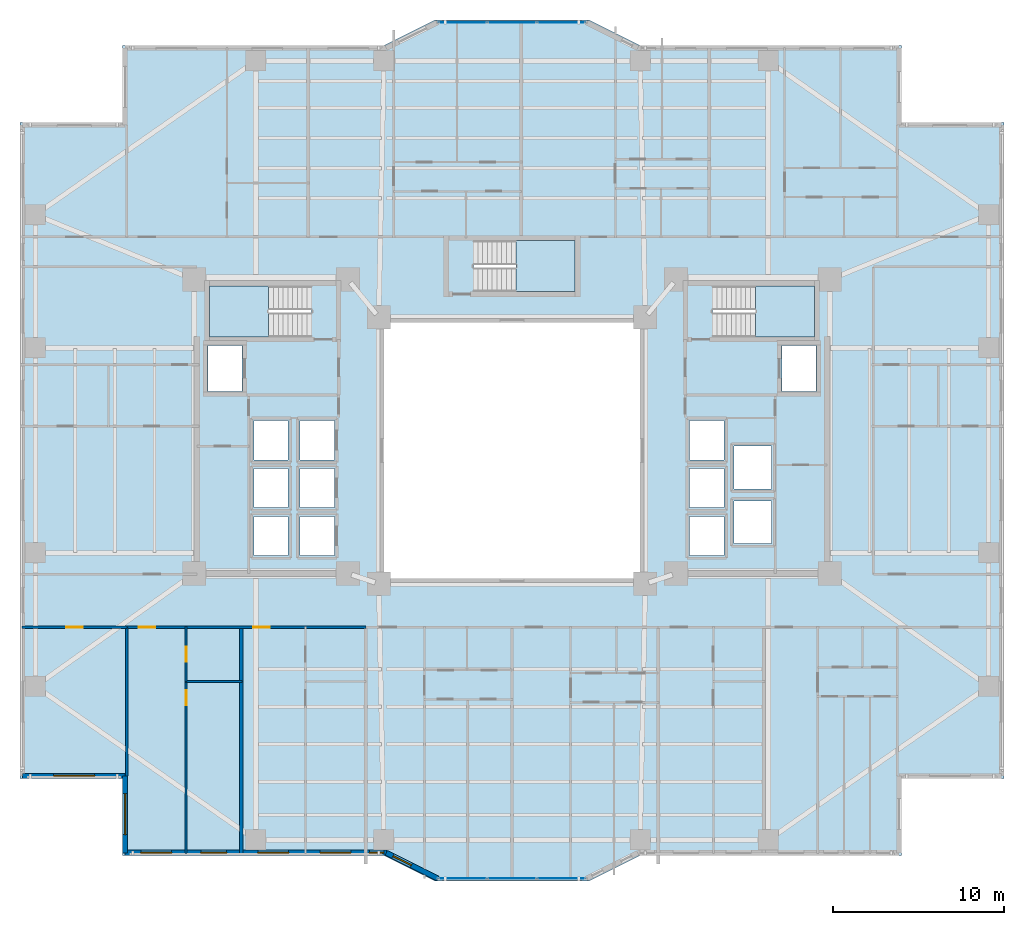
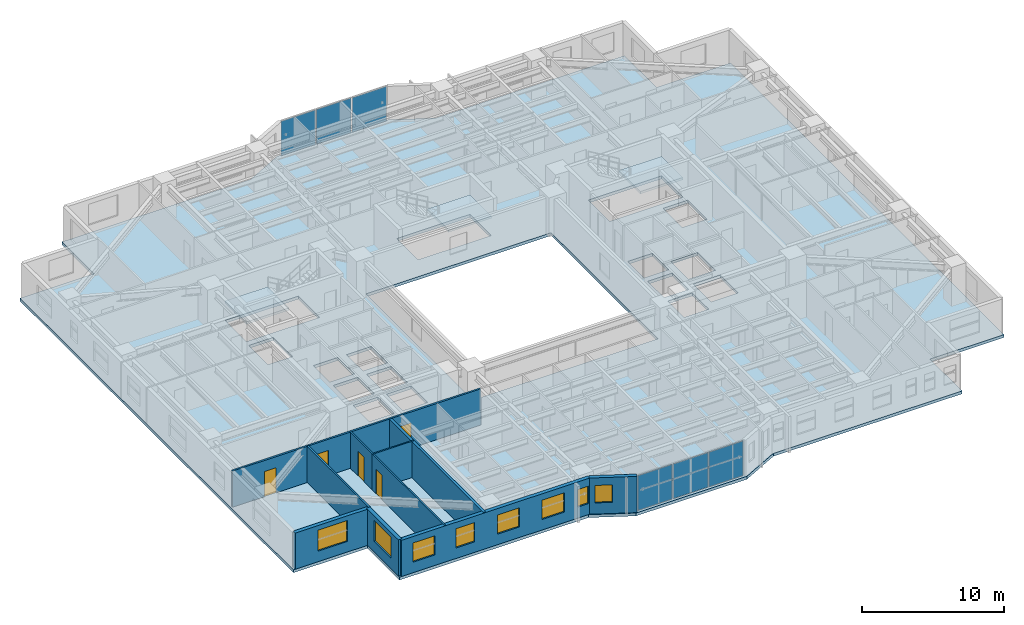
# One storey, part 9 of 21: 11 walls, 8 windows, 6 plates, 5 doors, 4 slabs, 13 openings, 5 elements without a shape of their own.
"""IFC4 building model written with IfcOpenShell, lengths in metres."""

from ifc_helpers import new_model, si_unit, direction, frame, frame_2d, origin, origin_2d, place, context, subcontext, project, spatial, polyline, rectangle, outline, extrude, material, layer, layer_set, type_object, element, fill, aggregate, save


model = new_model("IFC4")

# Units and contexts
model_context = context("Model", 3, precision=1e-05, world=origin(), true_north=direction((0.0, 1.0)))
body_context = subcontext(model_context, "Body", "Model", "MODEL_VIEW")
ifc_project = project(units=[si_unit("LENGTHUNIT", "METRE"), si_unit("AREAUNIT", "SQUARE_METRE"), si_unit("VOLUMEUNIT", "CUBIC_METRE"), si_unit("PLANEANGLEUNIT", "RADIAN"), si_unit("MASSUNIT", "GRAM", prefix="KILO")], contexts=[model_context])

# Site, building, storey
site_placement = place(None, origin())
site = spatial("IfcSite", under=ifc_project, at=site_placement, CompositionType="ELEMENT")
building_placement = place(site_placement, origin())
building = spatial("IfcBuilding", under=site, at=building_placement, Name="Tarnavaz Court Tower", CompositionType="ELEMENT")
storey_placement = place(building_placement, frame((0.0, 0.0, 24.0)))
storey = spatial("IfcBuildingStorey", under=building, at=storey_placement, Name="L05", CompositionType="ELEMENT", Elevation=24.0)

# Curtain wall, plates
ifc_material_1 = material(Name="Anodised Aluminium 6063-T6 and Solar Low-E Glazing", Category="aluminium")
ifc_layer_1 = layer(ifc_material_1, 0.179931640625)
ifc_layer_set_1 = layer_set([ifc_layer_1], Name="Anodised Aluminium 6063-T6 and Solar Low-E Glazing")
curtain_wall_type = type_object("IfcCurtainWallType", Name="CW-SYS-02", PredefinedType="NOTDEFINED", material=ifc_layer_set_1)
curtain_wall_1_placement = place(storey_placement, origin())
curtain_wall_1 = element("IfcCurtainWall", 1, at=curtain_wall_1_placement, inside=storey, type_object=curtain_wall_type, Name="L05 Iwan Prow Curtain Wall 7", PredefinedType="NOTDEFINED")
ifc_material_2 = material(Name="Double-Glazed Solar Low-E Glass", Category="glass")
ifc_layer_2 = layer(ifc_material_2, 0.028076171875)
ifc_layer_set_2 = layer_set([ifc_layer_2], Name="Double-Glazed Solar Low-E Glass")
plate_type = type_object("IfcPlateType", Name="CW-PAN-GLZ28", PredefinedType="CURTAIN_PANEL", material=ifc_layer_set_2)
plate_1_placement = place(storey_placement, frame((-2.88134765625, 25.050048828125, 0.06494140625), z_axis=(0.0, 0.0, 1.0), x_axis=(1.0, 0.0, 0.0)))
plate_1 = element("IfcPlate", 2, at=plate_1_placement, type_object=plate_type, Name="CW panel 1.1", PredefinedType="CURTAIN_PANEL", context=body_context, shape_type="SweptSolid", body=[
    extrude(rectangle(XDim=2.78759765625, YDim=0.028076171875, at=origin_2d()), origin(), (0.0, 0.0, 1.0), 2.969970703125),
])
plate_2_placement = place(storey_placement, frame((0.0, 25.050048828125, 0.06494140625), z_axis=(0.0, 0.0, 1.0), x_axis=(1.0, 0.0, 0.0)))
plate_2 = element("IfcPlate", 3, at=plate_2_placement, type_object=plate_type, Name="CW panel 2.1", PredefinedType="CURTAIN_PANEL", context=body_context, shape_type="SweptSolid", body=[
    extrude(rectangle(XDim=2.824951171875, YDim=0.028076171875, at=origin_2d()), origin(), (0.0, 0.0, 1.0), 2.969970703125),
])
plate_3_placement = place(storey_placement, frame((2.88134765625, 25.050048828125, 0.06494140625), z_axis=(0.0, 0.0, 1.0), x_axis=(1.0, 0.0, 0.0)))
plate_3 = element("IfcPlate", 4, at=plate_3_placement, type_object=plate_type, Name="CW panel 3.1", PredefinedType="CURTAIN_PANEL", context=body_context, shape_type="SweptSolid", body=[
    extrude(rectangle(XDim=2.78759765625, YDim=0.028076171875, at=origin_2d()), origin(), (0.0, 0.0, 1.0), 2.969970703125),
])
aggregate(curtain_wall_1, [plate_1, plate_2, plate_3])

curtain_wall_2_placement = place(storey_placement, origin())
curtain_wall_2 = element("IfcCurtainWall", 5, at=curtain_wall_2_placement, inside=storey, type_object=curtain_wall_type, Name="L05 Iwan Prow Curtain Wall 17", PredefinedType="NOTDEFINED")
plate_4_placement = place(storey_placement, frame((2.88134765625, -25.050048828125, 0.06494140625), z_axis=(0.0, 0.0, 1.0), x_axis=(-1.0, 0.0, 0.0)))
plate_4 = element("IfcPlate", 6, at=plate_4_placement, type_object=plate_type, Name="CW panel 1.1", PredefinedType="CURTAIN_PANEL", context=body_context, shape_type="SweptSolid", body=[
    extrude(rectangle(XDim=2.78759765625, YDim=0.028076171875, at=origin_2d()), origin(), (0.0, 0.0, 1.0), 2.969970703125),
])
plate_5_placement = place(storey_placement, frame((0.0, -25.050048828125, 0.06494140625), z_axis=(0.0, 0.0, 1.0), x_axis=(-1.0, 0.0, 0.0)))
plate_5 = element("IfcPlate", 7, at=plate_5_placement, type_object=plate_type, Name="CW panel 2.1", PredefinedType="CURTAIN_PANEL", context=body_context, shape_type="SweptSolid", body=[
    extrude(rectangle(XDim=2.824951171875, YDim=0.028076171875, at=origin_2d()), origin(), (0.0, 0.0, 1.0), 2.969970703125),
])
plate_6_placement = place(storey_placement, frame((-2.88134765625, -25.050048828125, 0.06494140625), z_axis=(0.0, 0.0, 1.0), x_axis=(-1.0, 0.0, 0.0)))
plate_6 = element("IfcPlate", 8, at=plate_6_placement, type_object=plate_type, Name="CW panel 3.1", PredefinedType="CURTAIN_PANEL", context=body_context, shape_type="SweptSolid", body=[
    extrude(rectangle(XDim=2.78759765625, YDim=0.028076171875, at=origin_2d()), origin(), (0.0, 0.0, 1.0), 2.969970703125),
])
aggregate(curtain_wall_2, [plate_4, plate_5, plate_6])

# Stair, slab
ifc_material_3 = material(Name="Concrete C40/50", Category="concrete")
stair_type = type_object("IfcStairType", Name="ST-TWR-20R", PredefinedType="HALF_TURN_STAIR", material=ifc_material_3)
stair_1_placement = place(storey_placement, origin())
stair_1 = element("IfcStair", 9, at=stair_1_placement, inside=storey, type_object=stair_type, Name="L05 West Core Pressurized Exit Stair ST-W1", PredefinedType="HALF_TURN_STAIR")
ifc_layer_3 = layer(ifc_material_3, 0.199951171875)
ifc_layer_set_3 = layer_set([ifc_layer_3], Name="Concrete C40/50")
slab_type_1 = type_object("IfcSlabType", Name="SL-LAND-200", PredefinedType="LANDING", material=ifc_layer_set_3)
slab_1_placement = place(storey_placement, frame((0.0, 0.0, 1.47509765625)))
slab_1 = element("IfcSlab", 10, at=slab_1_placement, type_object=slab_type_1, Name="ST-W1 landing 1", PredefinedType="LANDING", context=body_context, shape_type="SweptSolid", body=[
    extrude(outline(polyline([(-14.239990234375, 9.639892578125), (-17.699951171875, 9.639892578125), (-17.699951171875, 6.64990234375), (-14.239990234375, 6.64990234375), (-14.239990234375, 9.639892578125)])), origin(), (0.0, 0.0, 1.0), 0.199951171875),
])
aggregate(stair_1, [slab_1])

stair_2_placement = place(storey_placement, origin())
stair_2 = element("IfcStair", 11, at=stair_2_placement, inside=storey, type_object=stair_type, Name="L05 East Core Pressurized Exit Stair ST-E1", PredefinedType="HALF_TURN_STAIR")
slab_2_placement = place(storey_placement, frame((0.0, 0.0, 1.47509765625)))
slab_2 = element("IfcSlab", 12, at=slab_2_placement, type_object=slab_type_1, Name="ST-E1 landing 1", PredefinedType="LANDING", context=body_context, shape_type="SweptSolid", body=[
    extrude(outline(polyline([(14.239990234375, 6.64990234375), (17.699951171875, 6.64990234375), (17.699951171875, 9.639892578125), (14.239990234375, 9.639892578125), (14.239990234375, 6.64990234375)])), origin(), (0.0, 0.0, 1.0), 0.199951171875),
])
aggregate(stair_2, [slab_2])

stair_3_placement = place(storey_placement, origin())
stair_3 = element("IfcStair", 13, at=stair_3_placement, inside=storey, type_object=stair_type, Name="L05 North Ring Pressurized Exit Stair ST-N1", PredefinedType="HALF_TURN_STAIR")
slab_3_placement = place(storey_placement, frame((0.0, 0.0, 1.47509765625)))
slab_3 = element("IfcSlab", 14, at=slab_3_placement, type_object=slab_type_1, Name="ST-N1 landing 1", PredefinedType="LANDING", context=body_context, shape_type="SweptSolid", body=[
    extrude(outline(polyline([(0.239990234375, 9.300048828125), (3.699951171875, 9.300048828125), (3.699951171875, 12.2900390625), (0.239990234375, 12.2900390625), (0.239990234375, 9.300048828125)])), origin(), (0.0, 0.0, 1.0), 0.199951171875),
])
aggregate(stair_3, [slab_3])

# Slab
ifc_layer_4 = layer(ifc_material_3, 0.25)
ifc_layer_set_4 = layer_set([ifc_layer_4], Name="Concrete C40/50")
slab_type_2 = type_object("IfcSlabType", Name="SL-RES-250", PredefinedType="FLOOR", material=ifc_layer_set_4)
slab_4_placement = place(storey_placement, frame((0.0, 0.0, -0.25)))
element("IfcSlab", 15, at=slab_4_placement, inside=storey, type_object=slab_type_2, Name="L05 Structural Floor Slab", PredefinedType="FLOOR", context=body_context, shape_type="SweptSolid", body=[
    extrude(outline(polyline([(-22.800048828125, -23.699951171875), (-7.5, -23.699951171875), (-4.5, -25.199951171875), (4.5, -25.199951171875), (7.5, -23.699951171875), (22.800048828125, -23.699951171875), (22.800048828125, -19.199951171875), (28.800048828125, -19.199951171875), (28.800048828125, 19.199951171875), (22.800048828125, 19.199951171875), (22.800048828125, 23.699951171875), (7.5, 23.699951171875), (4.5, 25.199951171875), (-4.5, 25.199951171875), (-7.5, 23.699951171875), (-22.800048828125, 23.699951171875), (-22.800048828125, 19.199951171875), (-28.800048828125, 19.199951171875), (-28.800048828125, -19.199951171875), (-22.800048828125, -19.199951171875), (-22.800048828125, -23.699951171875)]), holes=[polyline([(-7.5, -7.5), (7.5, -7.5), (7.5, 7.5), (-7.5, 7.5), (-7.5, -7.5)]), polyline([(-11.7451171875, 9.639892578125), (-17.699951171875, 9.639892578125), (-17.699951171875, 6.64990234375), (-11.7451171875, 6.64990234375), (-11.7451171875, 9.639892578125)]), polyline([(11.7451171875, 6.64990234375), (17.699951171875, 6.64990234375), (17.699951171875, 9.639892578125), (11.7451171875, 9.639892578125), (11.7451171875, 6.64990234375)]), polyline([(-2.2548828125, 9.300048828125), (3.699951171875, 9.300048828125), (3.699951171875, 12.2900390625), (-2.2548828125, 12.2900390625), (-2.2548828125, 9.300048828125)]), polyline([(-17.800048828125, 3.449951171875), (-15.800048828125, 3.449951171875), (-15.800048828125, 6.14990234375), (-17.800048828125, 6.14990234375), (-17.800048828125, 3.449951171875)]), polyline([(-12.39990234375, -6.14990234375), (-10.39990234375, -6.14990234375), (-10.39990234375, -3.85009765625), (-12.39990234375, -3.85009765625), (-12.39990234375, -6.14990234375)]), polyline([(-12.39990234375, -3.35009765625), (-10.39990234375, -3.35009765625), (-10.39990234375, -1.050048828125), (-12.39990234375, -1.050048828125), (-12.39990234375, -3.35009765625)]), polyline([(-12.39990234375, -0.550048828125), (-10.39990234375, -0.550048828125), (-10.39990234375, 1.75), (-12.39990234375, 1.75), (-12.39990234375, -0.550048828125)]), polyline([(-15.10009765625, -6.14990234375), (-13.10009765625, -6.14990234375), (-13.10009765625, -3.85009765625), (-15.10009765625, -3.85009765625), (-15.10009765625, -6.14990234375)]), polyline([(-15.10009765625, -3.35009765625), (-13.10009765625, -3.35009765625), (-13.10009765625, -1.050048828125), (-15.10009765625, -1.050048828125), (-15.10009765625, -3.35009765625)]), polyline([(-15.10009765625, -0.550048828125), (-13.10009765625, -0.550048828125), (-13.10009765625, 1.75), (-15.10009765625, 1.75), (-15.10009765625, -0.550048828125)]), polyline([(15.800048828125, 3.449951171875), (17.800048828125, 3.449951171875), (17.800048828125, 6.14990234375), (15.800048828125, 6.14990234375), (15.800048828125, 3.449951171875)]), polyline([(10.39990234375, -6.14990234375), (12.39990234375, -6.14990234375), (12.39990234375, -3.85009765625), (10.39990234375, -3.85009765625), (10.39990234375, -6.14990234375)]), polyline([(10.39990234375, -3.35009765625), (12.39990234375, -3.35009765625), (12.39990234375, -1.050048828125), (10.39990234375, -1.050048828125), (10.39990234375, -3.35009765625)]), polyline([(10.39990234375, -0.550048828125), (12.39990234375, -0.550048828125), (12.39990234375, 1.75), (10.39990234375, 1.75), (10.39990234375, -0.550048828125)]), polyline([(13.0, -5.449951171875), (15.199951171875, -5.449951171875), (15.199951171875, -2.949951171875), (13.0, -2.949951171875), (13.0, -5.449951171875)]), polyline([(13.0, -2.25), (15.199951171875, -2.25), (15.199951171875, 0.25), (13.0, 0.25), (13.0, -2.25)])]), origin(), (0.0, 0.0, 1.0), 0.25),
])

# Wall, opening, window
ifc_material_4 = material(Name="Precast Concrete C40/50", Category="concrete")
ifc_layer_5 = layer(ifc_material_4, 0.300048828125)
ifc_layer_set_5 = layer_set([ifc_layer_5], Name="Precast Concrete C40/50")
wall_type_1 = type_object("IfcWallType", Name="WL-EXT-300", PredefinedType="SOLIDWALL", material=ifc_layer_set_5)
wall_1_placement = place(storey_placement, frame((-22.64990234375, -19.050048828125, 0.0), z_axis=(0.0, 0.0, 1.0), x_axis=(-1.0, 0.0, 0.0)))
wall_1 = element("IfcWall", 16, at=wall_1_placement, inside=storey, type_object=wall_type_1, Name="L05 Exterior Terracotta Facade Wall 01", PredefinedType="SOLIDWALL", context=body_context, shape_type="SweptSolid", body=[
    extrude(rectangle(XDim=6.0, YDim=0.300048828125, at=frame_2d((3.0, 0.0))), origin(), (0.0, 0.0, 1.0), 3.10009765625),
])
opening_1_placement = place(wall_1_placement, frame((1.77490234375, 0.0, 0.89990234375)))
opening_1 = element("IfcOpeningElement", 17, at=opening_1_placement, cuts=wall_1, Name="Opening W06", PredefinedType="OPENING", context=body_context, shape_type="SweptSolid", body=[
    extrude(rectangle(XDim=2.39990234375, YDim=1.800048828125, at=frame_2d((1.199951171875, 0.89990234375))), frame((0.0, 0.159912109375, 0.0), z_axis=(0.0, -1.0, 0.0), x_axis=(1.0, 0.0, 0.0)), (0.0, 0.0, 1.0), 0.320068359375),
])
window_type_1 = type_object("IfcWindowType", Name="WN-APT-2400", PartitioningType="TRIPLE_PANEL_VERTICAL", PredefinedType="WINDOW", material=ifc_material_2)
window_1_placement = place(opening_1_placement, origin())
window_1 = element("IfcWindow", 18, at=window_1_placement, inside=storey, type_object=window_type_1, Name="L05 South-West Corner Reading Room Window", OverallHeight=1.800048828125, OverallWidth=2.39990234375, PartitioningType="SINGLE_PANEL", PredefinedType="WINDOW", context=body_context, shape_type="SweptSolid", body=[
    extrude(rectangle(XDim=2.39990234375, YDim=1.800048828125, at=frame_2d((1.199951171875, 0.89990234375))), frame((0.0, 0.030029296875, 0.0), z_axis=(0.0, -1.0, 0.0), x_axis=(1.0, 0.0, 0.0)), (0.0, 0.0, 1.0), 0.06005859375),
])
fill(opening_1, window_1)

wall_2_placement = place(storey_placement, frame((-4.35009765625, -25.050048828125, 0.0), z_axis=(0.0, 0.0, 1.0), x_axis=(-0.894427191, 0.4472135955, 0.0)))
wall_2 = element("IfcWall", 19, at=wall_2_placement, inside=storey, type_object=wall_type_1, Name="L05 Exterior Terracotta Facade Wall 18", PredefinedType="SOLIDWALL", context=body_context, shape_type="SweptSolid", body=[
    extrude(rectangle(XDim=3.35400390625, YDim=0.300048828125, at=frame_2d((1.677001953125, 0.0))), origin(), (0.0, 0.0, 1.0), 3.10009765625),
])
opening_2_placement = place(wall_2_placement, frame((1.72802734375, 0.0, 0.949951171875)))
opening_2 = element("IfcOpeningElement", 20, at=opening_2_placement, cuts=wall_2, Name="Opening W05", PredefinedType="OPENING", context=body_context, shape_type="SweptSolid", body=[
    extrude(rectangle(XDim=1.199951171875, YDim=1.5, at=frame_2d((0.60009765625, 0.75))), frame((0.0, 0.159912109375, 0.0), z_axis=(0.0, -1.0, 0.0), x_axis=(1.0, 0.0, 0.0)), (0.0, 0.0, 1.0), 0.320068359375),
])
window_type_2 = type_object("IfcWindowType", Name="WN-APT-1200", PartitioningType="SINGLE_PANEL", PredefinedType="WINDOW", material=ifc_material_2)
window_2_placement = place(opening_2_placement, origin())
window_2 = element("IfcWindow", 21, at=window_2_placement, inside=storey, type_object=window_type_2, Name="L05 Flat 09 Living and Dining Room Window", OverallHeight=1.5, OverallWidth=1.199951171875, PartitioningType="SINGLE_PANEL", PredefinedType="WINDOW", context=body_context, shape_type="SweptSolid", body=[
    extrude(rectangle(XDim=1.199951171875, YDim=1.5, at=frame_2d((0.60009765625, 0.75))), frame((0.0, 0.030029296875, 0.0), z_axis=(0.0, -1.0, 0.0), x_axis=(1.0, 0.0, 0.0)), (0.0, 0.0, 1.0), 0.06005859375),
])
fill(opening_2, window_2)

# Wall, openings, windows
wall_3_placement = place(storey_placement, frame((-7.35009765625, -23.550048828125, 0.0), z_axis=(0.0, 0.0, 1.0), x_axis=(-1.0, 0.0, 0.0)))
wall_3 = element("IfcWall", 22, at=wall_3_placement, inside=storey, type_object=wall_type_1, Name="L05 Exterior Terracotta Facade Wall 19", PredefinedType="SOLIDWALL", context=body_context, shape_type="SweptSolid", body=[
    extrude(rectangle(XDim=15.2998046875, YDim=0.300048828125, at=frame_2d((7.64990234375, 0.0))), origin(), (0.0, 0.0, 1.0), 3.10009765625),
])
opening_3_placement = place(wall_3_placement, frame((0.146728515625, 0.0, 0.949951171875)))
opening_3 = element("IfcOpeningElement", 23, at=opening_3_placement, cuts=wall_3, Name="Opening W15", PredefinedType="OPENING", context=body_context, shape_type="SweptSolid", body=[
    extrude(rectangle(XDim=0.85009765625, YDim=1.5, at=frame_2d((0.425048828125, 0.75))), frame((0.0, 0.159912109375, 0.0), z_axis=(0.0, -1.0, 0.0), x_axis=(1.0, 0.0, 0.0)), (0.0, 0.0, 1.0), 0.320068359375),
])
opening_4_placement = place(wall_3_placement, frame((2.084716796875, 0.0, 0.89990234375)))
opening_4 = element("IfcOpeningElement", 24, at=opening_4_placement, cuts=wall_3, Name="Opening W01", PredefinedType="OPENING", context=body_context, shape_type="SweptSolid", body=[
    extrude(rectangle(XDim=1.800048828125, YDim=1.64990234375, at=frame_2d((0.89990234375, 0.824951171875))), frame((0.0, 0.159912109375, 0.0), z_axis=(0.0, -1.0, 0.0), x_axis=(1.0, 0.0, 0.0)), (0.0, 0.0, 1.0), 0.320068359375),
])
opening_5_placement = place(wall_3_placement, frame((5.7216796875, 0.0, 0.89990234375)))
opening_5 = element("IfcOpeningElement", 25, at=opening_5_placement, cuts=wall_3, Name="Opening W01", PredefinedType="OPENING", context=body_context, shape_type="SweptSolid", body=[
    extrude(rectangle(XDim=1.800048828125, YDim=1.64990234375, at=frame_2d((0.89990234375, 0.824951171875))), frame((0.0, 0.159912109375, 0.0), z_axis=(0.0, -1.0, 0.0), x_axis=(1.0, 0.0, 0.0)), (0.0, 0.0, 1.0), 0.320068359375),
])
opening_6_placement = place(wall_3_placement, frame((9.35791015625, 0.0, 0.89990234375)))
opening_6 = element("IfcOpeningElement", 26, at=opening_6_placement, cuts=wall_3, Name="Opening W03", PredefinedType="OPENING", context=body_context, shape_type="SweptSolid", body=[
    extrude(rectangle(XDim=1.5, YDim=1.64990234375, at=frame_2d((0.75, 0.824951171875))), frame((0.0, 0.159912109375, 0.0), z_axis=(0.0, -1.0, 0.0), x_axis=(1.0, 0.0, 0.0)), (0.0, 0.0, 1.0), 0.320068359375),
])
opening_7_placement = place(wall_3_placement, frame((12.569091796875, 0.0, 0.89990234375)))
opening_7 = element("IfcOpeningElement", 27, at=opening_7_placement, cuts=wall_3, Name="Opening W01", PredefinedType="OPENING", context=body_context, shape_type="SweptSolid", body=[
    extrude(rectangle(XDim=1.800048828125, YDim=1.64990234375, at=frame_2d((0.89990234375, 0.824951171875))), frame((0.0, 0.159912109375, 0.0), z_axis=(0.0, -1.0, 0.0), x_axis=(1.0, 0.0, 0.0)), (0.0, 0.0, 1.0), 0.320068359375),
])
window_type_3 = type_object("IfcWindowType", Name="WN-APT-1500", PartitioningType="DOUBLE_PANEL_VERTICAL", PredefinedType="WINDOW", material=ifc_material_2)
window_3_placement = place(opening_6_placement, origin())
window_3 = element("IfcWindow", 28, at=window_3_placement, inside=storey, type_object=window_type_3, Name="L05 Flat 05 Kitchen Window", OverallHeight=1.64990234375, OverallWidth=1.5, PartitioningType="SINGLE_PANEL", PredefinedType="WINDOW", context=body_context, shape_type="SweptSolid", body=[
    extrude(rectangle(XDim=1.5, YDim=1.64990234375, at=frame_2d((0.75, 0.824951171875))), frame((0.0, 0.030029296875, 0.0), z_axis=(0.0, -1.0, 0.0), x_axis=(1.0, 0.0, 0.0)), (0.0, 0.0, 1.0), 0.06005859375),
])
fill(opening_6, window_3)
window_type_4 = type_object("IfcWindowType", Name="WN-APT-1800", PartitioningType="DOUBLE_PANEL_VERTICAL", PredefinedType="WINDOW", material=ifc_material_2)
window_4_placement = place(opening_4_placement, origin())
window_4 = element("IfcWindow", 29, at=window_4_placement, inside=storey, type_object=window_type_4, Name="L05 Flat 06 Kitchen Window", OverallHeight=1.64990234375, OverallWidth=1.800048828125, PartitioningType="SINGLE_PANEL", PredefinedType="WINDOW", context=body_context, shape_type="SweptSolid", body=[
    extrude(rectangle(XDim=1.800048828125, YDim=1.64990234375, at=frame_2d((0.89990234375, 0.824951171875))), frame((0.0, 0.030029296875, 0.0), z_axis=(0.0, -1.0, 0.0), x_axis=(1.0, 0.0, 0.0)), (0.0, 0.0, 1.0), 0.06005859375),
])
fill(opening_4, window_4)
window_5_placement = place(opening_5_placement, origin())
window_5 = element("IfcWindow", 30, at=window_5_placement, inside=storey, type_object=window_type_4, Name="L05 Flat 06 Studio Living and Sleeping Room Window", OverallHeight=1.64990234375, OverallWidth=1.800048828125, PartitioningType="SINGLE_PANEL", PredefinedType="WINDOW", context=body_context, shape_type="SweptSolid", body=[
    extrude(rectangle(XDim=1.800048828125, YDim=1.64990234375, at=frame_2d((0.89990234375, 0.824951171875))), frame((0.0, 0.030029296875, 0.0), z_axis=(0.0, -1.0, 0.0), x_axis=(1.0, 0.0, 0.0)), (0.0, 0.0, 1.0), 0.06005859375),
])
fill(opening_5, window_5)
window_6_placement = place(opening_7_placement, origin())
window_6 = element("IfcWindow", 31, at=window_6_placement, inside=storey, type_object=window_type_4, Name="L05 Flat 05 Studio Living and Sleeping Room Window", OverallHeight=1.64990234375, OverallWidth=1.800048828125, PartitioningType="SINGLE_PANEL", PredefinedType="WINDOW", context=body_context, shape_type="SweptSolid", body=[
    extrude(rectangle(XDim=1.800048828125, YDim=1.64990234375, at=frame_2d((0.89990234375, 0.824951171875))), frame((0.0, 0.030029296875, 0.0), z_axis=(0.0, -1.0, 0.0), x_axis=(1.0, 0.0, 0.0)), (0.0, 0.0, 1.0), 0.06005859375),
])
fill(opening_7, window_6)
window_type_5 = type_object("IfcWindowType", Name="WN-APT-850", PartitioningType="SINGLE_PANEL", PredefinedType="WINDOW", material=ifc_material_2)
window_7_placement = place(opening_3_placement, origin())
window_7 = element("IfcWindow", 32, at=window_7_placement, inside=storey, type_object=window_type_5, Name="L05 Flat 09 Living and Dining Room Window", OverallHeight=1.5, OverallWidth=0.85009765625, PartitioningType="SINGLE_PANEL", PredefinedType="WINDOW", context=body_context, shape_type="SweptSolid", body=[
    extrude(rectangle(XDim=0.85009765625, YDim=1.5, at=frame_2d((0.425048828125, 0.75))), frame((0.0, 0.030029296875, 0.0), z_axis=(0.0, -1.0, 0.0), x_axis=(1.0, 0.0, 0.0)), (0.0, 0.0, 1.0), 0.06005859375),
])
fill(opening_3, window_7)

# Wall, opening, window
wall_4_placement = place(storey_placement, frame((-22.64990234375, -23.550048828125, 0.0), z_axis=(0.0, 0.0, 1.0), x_axis=(0.0, 1.0, 0.0)))
wall_4 = element("IfcWall", 33, at=wall_4_placement, inside=storey, type_object=wall_type_1, Name="L05 Exterior Terracotta Facade Wall 20", PredefinedType="SOLIDWALL", context=body_context, shape_type="SweptSolid", body=[
    extrude(rectangle(XDim=4.5, YDim=0.300048828125, at=frame_2d((2.25, 0.0))), origin(), (0.0, 0.0, 1.0), 3.10009765625),
])
opening_8_placement = place(wall_4_placement, frame((1.0673828125, 0.0, 0.89990234375)))
opening_8 = element("IfcOpeningElement", 34, at=opening_8_placement, cuts=wall_4, Name="Opening W06", PredefinedType="OPENING", context=body_context, shape_type="SweptSolid", body=[
    extrude(rectangle(XDim=2.39990234375, YDim=1.800048828125, at=frame_2d((1.199951171875, 0.89990234375))), frame((0.0, 0.159912109375, 0.0), z_axis=(0.0, -1.0, 0.0), x_axis=(1.0, 0.0, 0.0)), (0.0, 0.0, 1.0), 0.320068359375),
])
window_8_placement = place(opening_8_placement, origin())
window_8 = element("IfcWindow", 35, at=window_8_placement, inside=storey, type_object=window_type_1, Name="L05 Flat 05 Studio Living and Sleeping Room Window", OverallHeight=1.800048828125, OverallWidth=2.39990234375, PartitioningType="SINGLE_PANEL", PredefinedType="WINDOW", context=body_context, shape_type="SweptSolid", body=[
    extrude(rectangle(XDim=2.39990234375, YDim=1.800048828125, at=frame_2d((1.199951171875, 0.89990234375))), frame((0.0, 0.030029296875, 0.0), z_axis=(0.0, -1.0, 0.0), x_axis=(1.0, 0.0, 0.0)), (0.0, 0.0, 1.0), 0.06005859375),
])
fill(opening_8, window_8)

# Wall, openings, doors
ifc_material_5 = material(Name="Gypsum Fire-Board on Acoustic Metal Stud", Category="masonry")
ifc_layer_6 = layer(ifc_material_5, 0.14990234375)
ifc_layer_set_6 = layer_set([ifc_layer_6], Name="Gypsum Fire-Board on Acoustic Metal Stud")
wall_type_2 = type_object("IfcWallType", Name="WL-FIRE-150", PredefinedType="PARTITIONING", material=ifc_layer_set_6)
wall_5_placement = place(storey_placement, frame((-22.550048828125, -10.35009765625, 0.0), z_axis=(0.0, 0.0, 1.0), x_axis=(1.0, 0.0, 0.0)))
wall_5 = element("IfcWall", 36, at=wall_5_placement, inside=storey, type_object=wall_type_2, Name="L05 SW Corridor Wall 084", PredefinedType="PARTITIONING", context=body_context, shape_type="SweptSolid", body=[
    extrude(rectangle(XDim=14.0, YDim=0.14990234375, at=frame_2d((7.0, 0.0))), origin(), (0.0, 0.0, 1.0), 3.10009765625),
])
opening_9_placement = place(wall_5_placement, frame((0.699951171875, 0.0, 0.0)))
opening_9 = element("IfcOpeningElement", 37, at=opening_9_placement, cuts=wall_5, Name="Opening D06", PredefinedType="OPENING", context=body_context, shape_type="SweptSolid", body=[
    extrude(rectangle(XDim=0.9599609375, YDim=2.14990234375, at=frame_2d((0.47998046875, 1.074951171875))), frame((0.0, 0.0849609375, 0.0), z_axis=(0.0, -1.0, 0.0), x_axis=(1.0, 0.0, 0.0)), (0.0, 0.0, 1.0), 0.169921875),
])
opening_10_placement = place(wall_5_placement, frame((7.39599609375, 0.0, 0.0)))
opening_10 = element("IfcOpeningElement", 38, at=opening_10_placement, cuts=wall_5, Name="Opening D06", PredefinedType="OPENING", context=body_context, shape_type="SweptSolid", body=[
    extrude(rectangle(XDim=0.9599609375, YDim=2.14990234375, at=frame_2d((0.47998046875, 1.074951171875))), frame((0.0, 0.0849609375, 0.0), z_axis=(0.0, -1.0, 0.0), x_axis=(1.0, 0.0, 0.0)), (0.0, 0.0, 1.0), 0.169921875),
])
ifc_material_6 = material(Name="Fire-Rated Hardwood Timber Core", Category="wood")
door_type_1 = type_object("IfcDoorType", Name="DR-FD60-950", OperationType="NOTDEFINED", PredefinedType="DOOR", material=ifc_material_6)
door_1_placement = place(opening_9_placement, origin())
door_1 = element("IfcDoor", 39, at=door_1_placement, inside=storey, type_object=door_type_1, Name="L05 Flat 05 Entrance Door", OperationType="SINGLE_SWING_RIGHT", OverallHeight=2.14990234375, OverallWidth=0.9599609375, PredefinedType="DOOR", context=body_context, shape_type="SweptSolid", body=[
    extrude(rectangle(XDim=0.9599609375, YDim=2.14990234375, at=frame_2d((0.47998046875, 1.074951171875))), frame((0.0, 0.02490234375, 0.0), z_axis=(0.0, -1.0, 0.0), x_axis=(1.0, 0.0, 0.0)), (0.0, 0.0, 1.0), 0.050048828125),
])
fill(opening_9, door_1)
door_2_placement = place(opening_10_placement, origin())
door_2 = element("IfcDoor", 40, at=door_2_placement, inside=storey, type_object=door_type_1, Name="L05 Flat 06 Entrance Door", OperationType="SINGLE_SWING_LEFT", OverallHeight=2.14990234375, OverallWidth=0.9599609375, PredefinedType="DOOR", context=body_context, shape_type="SweptSolid", body=[
    extrude(rectangle(XDim=0.9599609375, YDim=2.14990234375, at=frame_2d((0.47998046875, 1.074951171875))), frame((0.0, 0.02490234375, 0.0), z_axis=(0.0, -1.0, 0.0), x_axis=(1.0, 0.0, 0.0)), (0.0, 0.0, 1.0), 0.050048828125),
])
fill(opening_10, door_2)

# Wall, opening, door
wall_6_placement = place(storey_placement, frame((-28.679931640625, -10.35009765625, 0.0), z_axis=(0.0, 0.0, 1.0), x_axis=(1.0, 0.0, 0.0)))
wall_6 = element("IfcWall", 41, at=wall_6_placement, inside=storey, type_object=wall_type_2, Name="L05 Interior Partition 154", PredefinedType="PARTITIONING", context=body_context, shape_type="SweptSolid", body=[
    extrude(rectangle(XDim=6.1298828125, YDim=0.14990234375, at=frame_2d((3.06494140625, 0.0))), origin(), (0.0, 0.0, 1.0), 3.10009765625),
])
opening_11_placement = place(wall_6_placement, frame((2.590087890625, 0.0, 0.0)))
opening_11 = element("IfcOpeningElement", 42, at=opening_11_placement, cuts=wall_6, Name="Opening D13", PredefinedType="OPENING", context=body_context, shape_type="SweptSolid", body=[
    extrude(rectangle(XDim=0.949951171875, YDim=2.14990234375, at=frame_2d((0.47509765625, 1.074951171875))), frame((0.0, 0.0849609375, 0.0), z_axis=(0.0, -1.0, 0.0), x_axis=(1.0, 0.0, 0.0)), (0.0, 0.0, 1.0), 0.169921875),
])
ifc_material_7 = material(Name="Engineered Oak Timber", Category="wood")
door_type_2 = type_object("IfcDoorType", Name="DR-INT-950", OperationType="NOTDEFINED", PredefinedType="DOOR", material=ifc_material_7)
door_3_placement = place(opening_11_placement, origin())
door_3 = element("IfcDoor", 43, at=door_3_placement, inside=storey, type_object=door_type_2, Name="L05 SW Reading Room Door", OperationType="SINGLE_SWING_RIGHT", OverallHeight=2.14990234375, OverallWidth=0.949951171875, PredefinedType="DOOR", context=body_context, shape_type="SweptSolid", body=[
    extrude(rectangle(XDim=0.949951171875, YDim=2.14990234375, at=frame_2d((0.47509765625, 1.074951171875))), frame((0.0, 0.02490234375, 0.0), z_axis=(0.0, -1.0, 0.0), x_axis=(1.0, 0.0, 0.0)), (0.0, 0.0, 1.0), 0.050048828125),
])
fill(opening_11, door_3)

# Wall
ifc_material_8 = material(Name="Autoclaved Aerated Concrete Blockwork", Category="masonry")
ifc_layer_7 = layer(ifc_material_8, 0.199951171875)
ifc_layer_set_7 = layer_set([ifc_layer_7], Name="Autoclaved Aerated Concrete Blockwork")
wall_type_3 = type_object("IfcWallType", Name="WL-FIRE-200", PredefinedType="SOLIDWALL", material=ifc_layer_set_7)
wall_7_placement = place(storey_placement, frame((-15.85400390625, -23.60009765625, 0.0), z_axis=(0.0, 0.0, 1.0), x_axis=(0.0, 1.0, 0.0)))
element("IfcWall", 44, at=wall_7_placement, inside=storey, type_object=wall_type_3, Name="L05 Party Wall 111", PredefinedType="SOLIDWALL", context=body_context, shape_type="SweptSolid", body=[
    extrude(rectangle(XDim=13.25, YDim=0.199951171875, at=frame_2d((6.625, 0.0))), origin(), (0.0, 0.0, 1.0), 3.10009765625),
])

# Wall, opening, door
ifc_material_9 = material(Name="Moisture-Resistant Gypsum Board Partition", Category="masonry")
ifc_layer_8 = layer(ifc_material_9, 0.1201171875)
ifc_layer_set_8 = layer_set([ifc_layer_8], Name="Moisture-Resistant Gypsum Board Partition")
wall_type_4 = type_object("IfcWallType", Name="WL-PART-120", PredefinedType="PARTITIONING", material=ifc_layer_set_8)
wall_8_placement = place(storey_placement, frame((-19.070068359375, -23.60009765625, 0.0), z_axis=(0.0, 0.0, 1.0), x_axis=(0.0, 1.0, 0.0)))
wall_8 = element("IfcWall", 45, at=wall_8_placement, inside=storey, type_object=wall_type_4, Name="L05 Interior Partition 112", PredefinedType="PARTITIONING", context=body_context, shape_type="SweptSolid", body=[
    extrude(rectangle(XDim=10.090087890625, YDim=0.1201171875, at=frame_2d((5.044921875, 0.0))), origin(), (0.0, 0.0, 1.0), 3.10009765625),
])
opening_12_placement = place(wall_8_placement, frame((8.68994140625, 0.0, 0.0)))
opening_12 = element("IfcOpeningElement", 46, at=opening_12_placement, cuts=wall_8, Name="Opening D14", PredefinedType="OPENING", context=body_context, shape_type="SweptSolid", body=[
    extrude(rectangle(XDim=0.8798828125, YDim=2.10009765625, at=frame_2d((0.43994140625, 1.050048828125))), frame((0.0, 0.070068359375, 0.0), z_axis=(0.0, -1.0, 0.0), x_axis=(1.0, 0.0, 0.0)), (0.0, 0.0, 1.0), 0.14013671875),
])
door_type_3 = type_object("IfcDoorType", Name="DR-INT-900", OperationType="NOTDEFINED", PredefinedType="DOOR", material=ifc_material_7)
door_4_placement = place(opening_12_placement, origin())
door_4 = element("IfcDoor", 47, at=door_4_placement, inside=storey, type_object=door_type_3, Name="L05 Flat 05 Kitchen Door", OperationType="SINGLE_SWING_LEFT", OverallHeight=2.10009765625, OverallWidth=0.8798828125, PredefinedType="DOOR", context=body_context, shape_type="SweptSolid", body=[
    extrude(rectangle(XDim=0.8798828125, YDim=2.10009765625, at=frame_2d((0.43994140625, 1.050048828125))), frame((0.0, 0.02490234375, 0.0), z_axis=(0.0, -1.0, 0.0), x_axis=(1.0, 0.0, 0.0)), (0.0, 0.0, 1.0), 0.050048828125),
])
fill(opening_12, door_4)

wall_9_placement = place(storey_placement, frame((-19.070068359375, -13.510009765625, 0.0), z_axis=(0.0, 0.0, 1.0), x_axis=(0.0, 1.0, 0.0)))
wall_9 = element("IfcWall", 48, at=wall_9_placement, inside=storey, type_object=wall_type_4, Name="L05 Interior Partition 113", PredefinedType="PARTITIONING", context=body_context, shape_type="SweptSolid", body=[
    extrude(rectangle(XDim=3.219970703125, YDim=0.1201171875, at=frame_2d((1.60986328125, 0.0))), origin(), (0.0, 0.0, 1.0), 3.10009765625),
])
opening_13_placement = place(wall_9_placement, frame((1.139892578125, 0.0, 0.0)))
opening_13 = element("IfcOpeningElement", 49, at=opening_13_placement, cuts=wall_9, Name="Opening D14", PredefinedType="OPENING", context=body_context, shape_type="SweptSolid", body=[
    extrude(rectangle(XDim=0.8798828125, YDim=2.10009765625, at=frame_2d((0.43994140625, 1.050048828125))), frame((0.0, 0.070068359375, 0.0), z_axis=(0.0, -1.0, 0.0), x_axis=(1.0, 0.0, 0.0)), (0.0, 0.0, 1.0), 0.14013671875),
])
door_5_placement = place(opening_13_placement, origin())
door_5 = element("IfcDoor", 50, at=door_5_placement, inside=storey, type_object=door_type_3, Name="L05 Flat 05 Bathroom Door", OperationType="SINGLE_SWING_RIGHT", OverallHeight=2.10009765625, OverallWidth=0.8798828125, PredefinedType="DOOR", context=body_context, shape_type="SweptSolid", body=[
    extrude(rectangle(XDim=0.8798828125, YDim=2.10009765625, at=frame_2d((0.43994140625, 1.050048828125))), frame((0.0, 0.02490234375, 0.0), z_axis=(0.0, -1.0, 0.0), x_axis=(1.0, 0.0, 0.0)), (0.0, 0.0, 1.0), 0.050048828125),
])
fill(opening_13, door_5)

# Walls
wall_10_placement = place(storey_placement, frame((-19.1298828125, -13.510009765625, 0.0), z_axis=(0.0, 0.0, 1.0), x_axis=(1.0, 0.0, 0.0)))
element("IfcWall", 51, at=wall_10_placement, inside=storey, type_object=wall_type_4, Name="L05 Interior Partition 114", PredefinedType="PARTITIONING", context=body_context, shape_type="SweptSolid", body=[
    extrude(rectangle(XDim=3.3359375, YDim=0.1201171875, at=frame_2d((1.66796875, 0.0))), origin(), (0.0, 0.0, 1.0), 3.10009765625),
])
ifc_material_10 = material(Name="Gypsum Plasterboard Acoustic Partition", Category="masonry")
ifc_layer_9 = layer(ifc_material_10, 0.139892578125)
ifc_layer_set_9 = layer_set([ifc_layer_9], Name="Gypsum Plasterboard Acoustic Partition")
wall_type_5 = type_object("IfcWallType", Name="WL-PART-150", PredefinedType="PARTITIONING", material=ifc_layer_set_9)
wall_11_placement = place(storey_placement, frame((-22.550048828125, -19.050048828125, 0.0), z_axis=(0.0, 0.0, 1.0), x_axis=(0.0, 1.0, 0.0)))
element("IfcWall", 52, at=wall_11_placement, inside=storey, type_object=wall_type_5, Name="L05 Interior Partition 148", PredefinedType="PARTITIONING", context=body_context, shape_type="SweptSolid", body=[
    extrude(rectangle(XDim=8.699951171875, YDim=0.139892578125, at=frame_2d((4.35009765625, 0.0))), origin(), (0.0, 0.0, 1.0), 3.10009765625),
])

save(model, "model.ifc")
